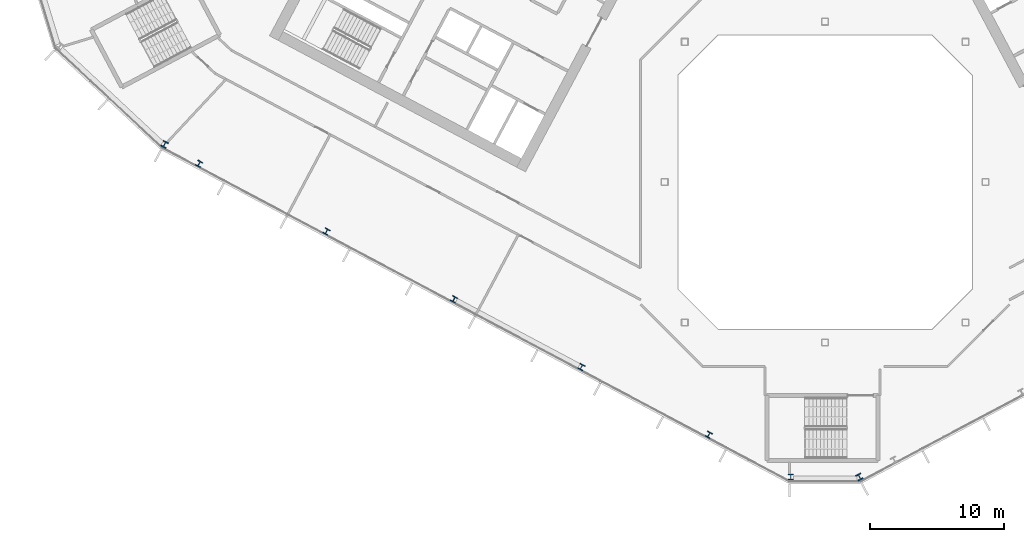
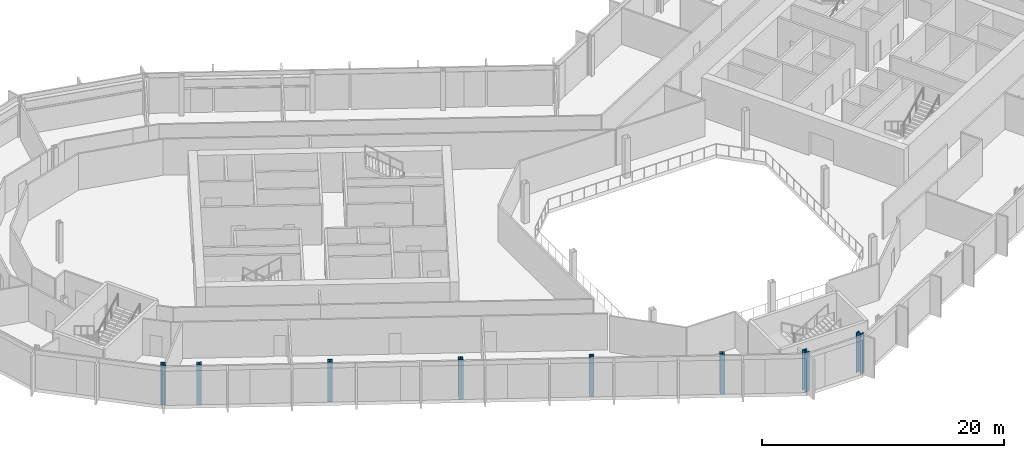
# One storey, part 1 of 28: 8 columns.
"""IFC4 building model written with IfcOpenShell, lengths in metres."""

from ifc_helpers import new_model, si_unit, direction, frame, origin, origin_2d, place, context, subcontext, project, spatial, i_section, extrude, material, material_profile, profile_set, type_object, element, save


model = new_model("IFC4")

# Units and contexts
model_context = context("Model", 3, precision=1e-05, world=origin(), true_north=direction((0.0, 1.0)))
body_context = subcontext(model_context, "Body", "Model", "MODEL_VIEW")
ifc_project = project(units=[si_unit("LENGTHUNIT", "METRE"), si_unit("AREAUNIT", "SQUARE_METRE"), si_unit("VOLUMEUNIT", "CUBIC_METRE"), si_unit("PLANEANGLEUNIT", "RADIAN"), si_unit("MASSUNIT", "GRAM", prefix="KILO")], contexts=[model_context])

# Site, building, storey
site_placement = place(None, origin())
site = spatial("IfcSite", under=ifc_project, at=site_placement, CompositionType="ELEMENT")
building_placement = place(site_placement, origin())
building = spatial("IfcBuilding", under=site, at=building_placement, Name="Cormorant Relay Tower", CompositionType="ELEMENT")
storey_placement = place(building_placement, frame((0.0, 0.0, 130.199951171875)))
storey = spatial("IfcBuildingStorey", under=building, at=storey_placement, Name="L26", CompositionType="ELEMENT", Elevation=130.199951171875)

# Columns
ifc_material_1 = material(Name="Steel ASTM A992 (Fy 345 MPa)", Category="steel")
ifc_material_profile_1 = material_profile(ifc_material_1, i_section(OverallWidth=0.41162109375, OverallDepth=0.434326171875, WebThickness=0.035888671875, FlangeThickness=0.057373046875, FilletRadius=0.01513671875, at=origin_2d()), Name="W360x463")
ifc_profile_set_1 = profile_set([ifc_material_profile_1], Name="Steel ASTM A992 (Fy 345 MPa)")
column_type_1 = type_object("IfcColumnType", Name="Column W360x463", PredefinedType="COLUMN", material=ifc_profile_set_1)
for number, where, z_axis, x_axis, name in (
    (1, (-8.696044921875, -18.910888671875, 0.0), (0.0, 0.0, 1.0), (0.882947592859, -0.469471562786, 0.0), "Column L26-004"),
    (2, (-18.23193359375, -13.841064453125, 0.0), (0.0, 0.0, 1.0), (0.882947592859, -0.469471562786, 0.0), "Column L26-006"),
    (3, (-27.76806640625, -8.77001953125, 0.0), (0.0, 0.0, 1.0), (0.882947592859, -0.469471562786, 0.0), "Column L26-011"),
    (4, (-37.303955078125, -3.699951171875, 0.0), (0.0, 0.0, 1.0), (0.882947592859, -0.469471562786, 0.0), "Column L26-013"),
    (5, (-46.839111328125, 1.3701171875, 0.0), (0.0, 0.0, 1.0), (0.882947592859, -0.469471562786, 0.0), "Column L26-018"),
):
    element("IfcColumn", number, at=place(storey_placement, frame(where, z_axis=z_axis, x_axis=x_axis)), inside=storey, type_object=column_type_1, Name=name, PredefinedType="COLUMN", context=body_context, shape_type="SweptSolid", body=[
        extrude(i_section(OverallWidth=0.41162109375, OverallDepth=0.434326171875, WebThickness=0.035888671875, FlangeThickness=0.057373046875, FilletRadius=0.01513671875, at=origin_2d()), origin(), (0.0, 0.0, 1.0), 4.0),
    ])
ifc_material_2 = material(Name="Steel ASTM A992 (Fy 345 MPa)", Category="steel")
ifc_material_profile_2 = material_profile(ifc_material_2, i_section(OverallWidth=0.42431640625, OverallDepth=0.47509765625, WebThickness=0.0478515625, FlangeThickness=0.0771484375, FilletRadius=0.014892578125, at=origin_2d()), Name="W360x634")
ifc_profile_set_2 = profile_set([ifc_material_profile_2], Name="Steel ASTM A992 (Fy 345 MPa)")
column_type_2 = type_object("IfcColumnType", Name="Column W360x634", PredefinedType="COLUMN", material=ifc_profile_set_2)
for number, where, z_axis, x_axis, name in (
    (6, (-2.571044921875, -22.06494140625, 0.0), (0.0, 0.0, 1.0), (1.0, 0.0, 0.0), "Column L26-001"),
    (7, (2.571044921875, -22.06494140625, 0.0), (0.0, 0.0, 1.0), (0.882947592859, 0.469471562786, 0.0), "Column L26-002"),
    (8, (-49.423095703125, 2.820068359375, 0.0), (0.0, 0.0, 1.0), (0.882947592859, -0.469471562786, 0.0), "Column L26-019"),
):
    element("IfcColumn", number, at=place(storey_placement, frame(where, z_axis=z_axis, x_axis=x_axis)), inside=storey, type_object=column_type_2, Name=name, PredefinedType="COLUMN", context=body_context, shape_type="SweptSolid", body=[
        extrude(i_section(OverallWidth=0.42431640625, OverallDepth=0.47509765625, WebThickness=0.0478515625, FlangeThickness=0.0771484375, FilletRadius=0.014892578125, at=origin_2d()), origin(), (0.0, 0.0, 1.0), 4.0),
    ])

save(model, "model.ifc")
